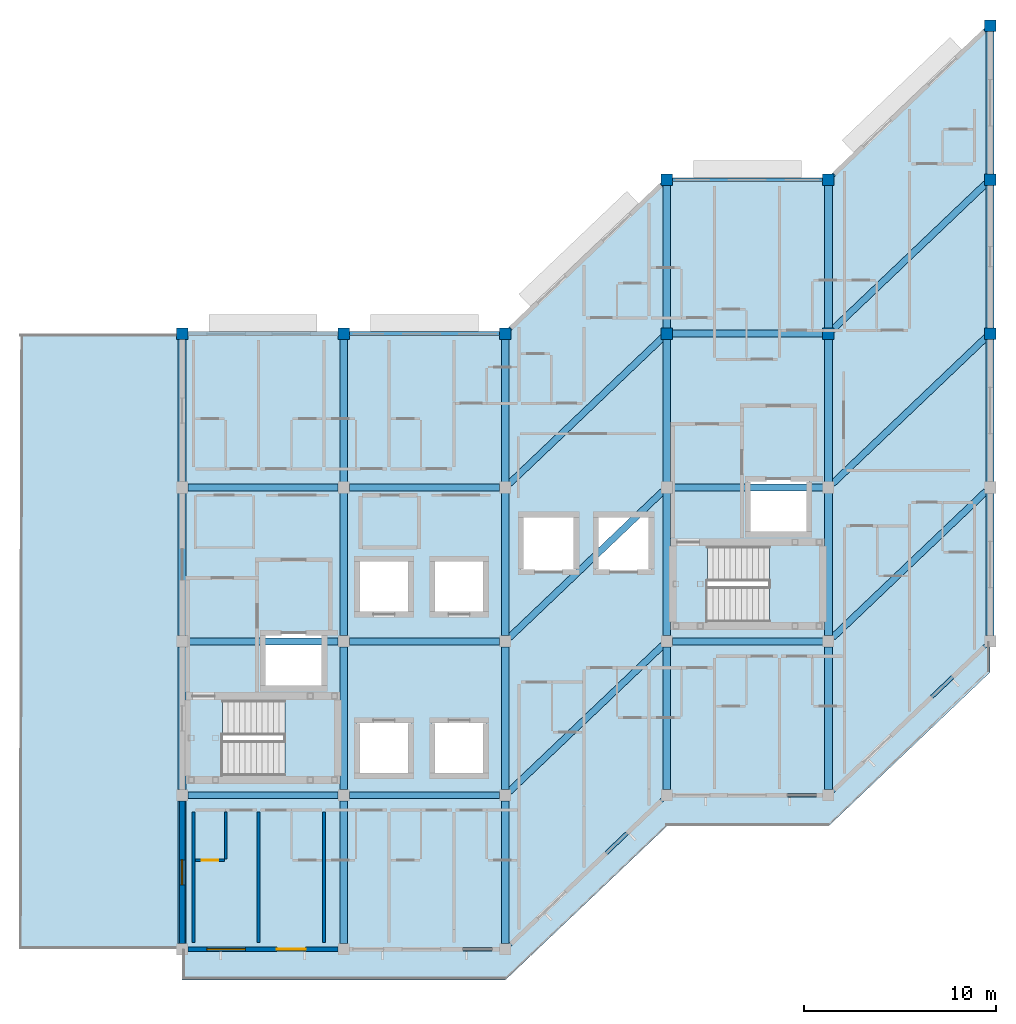
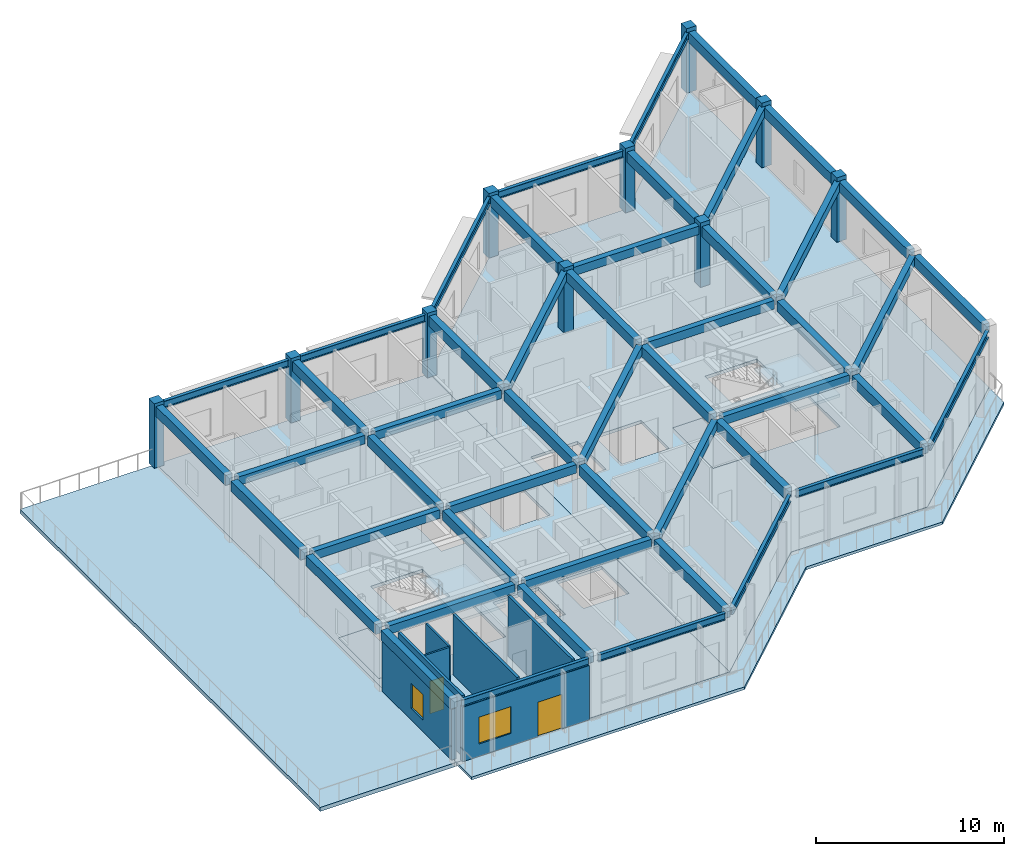
# One storey, part 3 of 13: 49 beams, 10 columns, 8 slabs, 7 walls, 2 doors, 2 windows, 4 openings, 2 elements without a shape of their own.
"""IFC4 building model written with IfcOpenShell, lengths in metres."""

from ifc_helpers import new_model, si_unit, direction, frame, frame_2d, origin, origin_2d, place, context, subcontext, project, spatial, polyline, rectangle, i_section, outline, extrude, material, layer, layer_set, material_profile, profile_set, type_object, element, fill, aggregate, save


model = new_model("IFC4")

# Units and contexts
model_context = context("Model", 3, precision=1e-05, world=origin(), true_north=direction((0.0, 1.0)))
body_context = subcontext(model_context, "Body", "Model", "MODEL_VIEW")
ifc_project = project(units=[si_unit("LENGTHUNIT", "METRE"), si_unit("AREAUNIT", "SQUARE_METRE"), si_unit("VOLUMEUNIT", "CUBIC_METRE"), si_unit("PLANEANGLEUNIT", "RADIAN"), si_unit("MASSUNIT", "GRAM", prefix="KILO")], contexts=[model_context])

# Site, building, storey
site_placement = place(None, origin())
site = spatial("IfcSite", under=ifc_project, at=site_placement, CompositionType="ELEMENT")
building_placement = place(site_placement, origin())
building = spatial("IfcBuilding", under=site, at=building_placement, Name="Naruveol Harbour Congress Hotel", CompositionType="ELEMENT")
storey_placement = place(building_placement, frame((0.0, 0.0, 43.199951171875)))
storey = spatial("IfcBuildingStorey", under=building, at=storey_placement, Name="L10", CompositionType="ELEMENT", Elevation=43.199951171875)

# Columns
ifc_material_1 = material(Name="Concrete C40/50", Category="concrete")
ifc_material_profile_1 = material_profile(ifc_material_1, rectangle(XDim=0.60009765625, YDim=0.60009765625, at=origin_2d()), Name="RC-600x600")
ifc_profile_set_1 = profile_set([ifc_material_profile_1], Name="Concrete C40/50")
column_type = type_object("IfcColumnType", Name="RC UPPER COLUMN 600X600", PredefinedType="COLUMN", material=ifc_profile_set_1)
for number, where, z_axis, x_axis, name in (
    (1, (126.0, 32.0, 0.0), (0.0, 0.0, 1.0), (1.0, 0.0, 0.0), "Column C-600 L10 (126.0,32.0)"),
    (2, (134.39990234375, 32.0, 0.0), (0.0, 0.0, 1.0), (1.0, 0.0, 0.0), "Column C-600 L10 (134.4,32.0)"),
    (3, (142.800048828125, 32.0, 0.0), (0.0, 0.0, 1.0), (1.0, 0.0, 0.0), "Column C-600 L10 (142.8,32.0)"),
    (4, (151.199951171875, 40.0, 0.0), (0.0, 0.0, 1.0), (1.0, 0.0, 0.0), "Column C-600 L10 (151.2,40.0)"),
    (5, (159.60009765625, 40.0, 0.0), (0.0, 0.0, 1.0), (1.0, 0.0, 0.0), "Column C-600 L10 (159.6,40.0)"),
    (6, (168.0, 32.0, 0.0), (0.0, 0.0, 1.0), (1.0, 0.0, 0.0), "Column C-600 L10 (168.0,32.0)"),
    (7, (168.0, 48.0, 0.0), (0.0, 0.0, 1.0), (1.0, 0.0, 0.0), "Column C-600 L10 (168.0,48.0)"),
    (8, (151.199951171875, 32.0, 0.0), (0.0, 0.0, 1.0), (1.0, 0.0, 0.0), "Planted hotel column C-600 L10 S4/J3"),
    (9, (159.60009765625, 32.0, 0.0), (0.0, 0.0, 1.0), (1.0, 0.0, 0.0), "Planted hotel column C-600 L10 S5/J3"),
    (10, (168.0, 40.0, 0.0), (0.0, 0.0, 1.0), (1.0, 0.0, 0.0), "Planted hotel column C-600 L10 S6/J3"),
):
    element("IfcColumn", number, at=place(storey_placement, frame(where, z_axis=z_axis, x_axis=x_axis)), inside=storey, type_object=column_type, Name=name, PredefinedType="COLUMN", context=body_context, shape_type="SweptSolid", body=[
        extrude(rectangle(XDim=0.60009765625, YDim=0.60009765625, at=origin_2d()), origin(), (0.0, 0.0, 1.0), 4.199951171875),
    ])

# Beams
ifc_material_2 = material(Name="Concrete C40/50", Category="concrete")
ifc_material_profile_2 = material_profile(ifc_material_2, rectangle(XDim=0.39990234375, YDim=0.64990234375, at=origin_2d()), Name="RCB-400x650")
ifc_profile_set_2 = profile_set([ifc_material_profile_2], Name="Concrete C40/50")
beam_type_1 = type_object("IfcBeamType", Name="RC HOTEL BEAM 400X650", PredefinedType="BEAM", material=ifc_profile_set_2)
for number, where, z_axis, x_axis, name in (
    (11, (126.0, 0.2958984375, 3.6650390625), (0.0, 1.0, 0.0), (-1.0, 0.0, 0.0), "Hotel transverse beam L11 CB4"),
    (12, (126.0, 8.2958984375, 3.6650390625), (0.0, 1.0, 0.0), (-1.0, 0.0, 0.0), "Hotel transverse beam L11 CB4"),
    (13, (126.0, 16.2958984375, 3.6650390625), (0.0, 1.0, 0.0), (-1.0, 0.0, 0.0), "Hotel transverse beam L11 CB4"),
    (14, (126.0, 24.2958984375, 3.6650390625), (0.0, 1.0, 0.0), (-1.0, 0.0, 0.0), "Hotel transverse beam L11 CB4"),
    (15, (134.39990234375, 0.2958984375, 3.6650390625), (0.0, 1.0, 0.0), (-1.0, 0.0, 0.0), "Hotel transverse beam L11 CB4"),
    (16, (134.39990234375, 8.2958984375, 3.6650390625), (0.0, 1.0, 0.0), (-1.0, 0.0, 0.0), "Hotel transverse beam L11 CB4"),
    (17, (134.39990234375, 16.2958984375, 3.6650390625), (0.0, 1.0, 0.0), (-1.0, 0.0, 0.0), "Hotel transverse beam L11 CB4"),
    (18, (134.39990234375, 24.2958984375, 3.6650390625), (0.0, 1.0, 0.0), (-1.0, 0.0, 0.0), "Hotel transverse beam L11 CB4"),
    (19, (142.800048828125, 0.2958984375, 3.6650390625), (0.0, 1.0, 0.0), (-1.0, 0.0, 0.0), "Hotel transverse beam L11 CB4"),
    (20, (142.800048828125, 8.2958984375, 3.6650390625), (0.0, 1.0, 0.0), (-1.0, 0.0, 0.0), "Hotel transverse beam L11 CB4"),
    (21, (142.800048828125, 16.2958984375, 3.6650390625), (0.0, 1.0, 0.0), (-1.0, 0.0, 0.0), "Hotel transverse beam L11 CB4"),
    (22, (142.800048828125, 24.2958984375, 3.6650390625), (0.0, 1.0, 0.0), (-1.0, 0.0, 0.0), "Hotel transverse beam L11 CB4"),
    (23, (151.199951171875, 8.2958984375, 3.6650390625), (0.0, 1.0, 0.0), (-1.0, 0.0, 0.0), "Hotel transverse beam L11 CB4"),
    (24, (151.199951171875, 16.2958984375, 3.6650390625), (0.0, 1.0, 0.0), (-1.0, 0.0, 0.0), "Hotel transverse beam L11 CB4"),
    (25, (151.199951171875, 24.2958984375, 3.6650390625), (0.0, 1.0, 0.0), (-1.0, 0.0, 0.0), "Hotel transverse beam L11 CB4"),
    (26, (151.199951171875, 32.2958984375, 3.6650390625), (0.0, 1.0, 0.0), (-1.0, 0.0, 0.0), "Hotel transverse beam L11 CB4"),
    (27, (159.60009765625, 8.2958984375, 3.614990234375), (0.0, 1.0, 0.0), (-1.0, 0.0, 0.0), "Hotel transverse beam L11 CB4"),
    (28, (159.60009765625, 16.2958984375, 3.614990234375), (0.0, 1.0, 0.0), (-1.0, 0.0, 0.0), "Hotel transverse beam L11 CB4"),
    (29, (159.60009765625, 24.2958984375, 3.614990234375), (0.0, 1.0, 0.0), (-1.0, 0.0, 0.0), "Hotel transverse beam L11 CB4"),
    (30, (159.60009765625, 32.2958984375, 3.614990234375), (0.0, 1.0, 0.0), (-1.0, 0.0, 0.0), "Hotel transverse beam L11 CB4"),
    (31, (168.0, 16.2958984375, 3.614990234375), (0.0, 1.0, 0.0), (-1.0, 0.0, 0.0), "Hotel transverse beam L11 CB4"),
    (32, (168.0, 24.2958984375, 3.614990234375), (0.0, 1.0, 0.0), (-1.0, 0.0, 0.0), "Hotel transverse beam L11 CB4"),
    (33, (168.0, 32.2958984375, 3.614990234375), (0.0, 1.0, 0.0), (-1.0, 0.0, 0.0), "Hotel transverse beam L11 CB4"),
    (34, (168.0, 40.2958984375, 3.614990234375), (0.0, 1.0, 0.0), (-1.0, 0.0, 0.0), "Hotel transverse beam L11 CB4"),
):
    element("IfcBeam", number, at=place(storey_placement, frame(where, z_axis=z_axis, x_axis=x_axis)), inside=storey, type_object=beam_type_1, Name=name, PredefinedType="BEAM", context=body_context, shape_type="SweptSolid", body=[
        extrude(rectangle(XDim=0.39990234375, YDim=0.64990234375, at=origin_2d()), origin(), (0.0, 0.0, 1.0), 7.408203125),
    ])
ifc_material_3 = material(Name="Concrete C40/50", Category="concrete")
ifc_material_profile_3 = material_profile(ifc_material_3, rectangle(XDim=0.35009765625, YDim=0.550048828125, at=origin_2d()), Name="RCB-350x550")
ifc_profile_set_3 = profile_set([ifc_material_profile_3], Name="Concrete C40/50")
beam_type_2 = type_object("IfcBeamType", Name="RC SECONDARY BEAM 350X550", PredefinedType="JOIST", material=ifc_profile_set_3)
for number, where, z_axis, x_axis, name in (
    (35, (126.2958984375, 8.0, 3.715087890625), (1.0, 0.0, 0.0), (0.0, 1.0, 0.0), "Hotel chord beam L11 CJ1"),
    (36, (126.2958984375, 16.0, 3.715087890625), (1.0, 0.0, 0.0), (0.0, 1.0, 0.0), "Hotel chord beam L11 CJ1"),
    (37, (126.2958984375, 24.0, 3.715087890625), (1.0, 0.0, 0.0), (0.0, 1.0, 0.0), "Hotel chord beam L11 CJ1"),
):
    element("IfcBeam", number, at=place(storey_placement, frame(where, z_axis=z_axis, x_axis=x_axis)), inside=storey, type_object=beam_type_2, Name=name, PredefinedType="JOIST", context=body_context, shape_type="SweptSolid", body=[
        extrude(rectangle(XDim=0.35009765625, YDim=0.550048828125, at=origin_2d()), origin(), (0.0, 0.0, 1.0), 7.80810546875),
    ])
for number, where, z_axis, x_axis, name in (
    (38, (134.696044921875, 8.0, 3.715087890625), (1.0, 0.0, 0.0), (0.0, 1.0, 0.0), "Hotel chord beam L11 CJ1"),
    (39, (134.696044921875, 16.0, 3.715087890625), (1.0, 0.0, 0.0), (0.0, 1.0, 0.0), "Hotel chord beam L11 CJ1"),
    (40, (134.696044921875, 24.0, 3.715087890625), (1.0, 0.0, 0.0), (0.0, 1.0, 0.0), "Hotel chord beam L11 CJ1"),
):
    element("IfcBeam", number, at=place(storey_placement, frame(where, z_axis=z_axis, x_axis=x_axis)), inside=storey, type_object=beam_type_2, Name=name, PredefinedType="JOIST", context=body_context, shape_type="SweptSolid", body=[
        extrude(rectangle(XDim=0.35009765625, YDim=0.550048828125, at=origin_2d()), origin(), (0.0, 0.0, 1.0), 7.807861328125),
    ])
for number, where, z_axis, x_axis, name in (
    (41, (143.014404296875, 8.2041015625, 3.715087890625), (0.724129492057, 0.689664033231, 0.0), (-0.689664033231, 0.724129492057, 0.0), "Hotel chord beam L11 CJ1"),
    (42, (143.014404296875, 16.2041015625, 3.715087890625), (0.724129492057, 0.689664033231, 0.0), (-0.689664033231, 0.724129492057, 0.0), "Hotel chord beam L11 CJ1"),
    (43, (143.014404296875, 24.2041015625, 3.715087890625), (0.724129492057, 0.689664033231, 0.0), (-0.689664033231, 0.724129492057, 0.0), "Hotel chord beam L11 CJ1"),
):
    element("IfcBeam", number, at=place(storey_placement, frame(where, z_axis=z_axis, x_axis=x_axis)), inside=storey, type_object=beam_type_2, Name=name, PredefinedType="JOIST", context=body_context, shape_type="SweptSolid", body=[
        extrude(rectangle(XDim=0.35009765625, YDim=0.550048828125, at=origin_2d()), origin(), (0.0, 0.0, 1.0), 11.008056640625),
    ])
for number, where, z_axis, x_axis, name in (
    (44, (151.49609375, 16.0, 3.6650390625), (1.0, 0.0, 0.0), (0.0, 1.0, 0.0), "Hotel chord beam L11 CJ1"),
    (45, (151.49609375, 24.0, 3.6650390625), (1.0, 0.0, 0.0), (0.0, 1.0, 0.0), "Hotel chord beam L11 CJ1"),
    (46, (151.49609375, 32.0, 3.6650390625), (1.0, 0.0, 0.0), (0.0, 1.0, 0.0), "Hotel chord beam L11 CJ1"),
):
    element("IfcBeam", number, at=place(storey_placement, frame(where, z_axis=z_axis, x_axis=x_axis)), inside=storey, type_object=beam_type_2, Name=name, PredefinedType="JOIST", context=body_context, shape_type="SweptSolid", body=[
        extrude(rectangle(XDim=0.35009765625, YDim=0.550048828125, at=origin_2d()), origin(), (0.0, 0.0, 1.0), 7.807861328125),
    ])
for number, where, z_axis, x_axis, name in (
    (47, (159.814208984375, 16.2041015625, 3.6650390625), (0.724140040728, 0.689652957229, 0.0), (-0.689652957229, 0.724140040728, 0.0), "Hotel chord beam L11 CJ1"),
    (48, (159.814208984375, 24.2041015625, 3.6650390625), (0.724140040728, 0.689652957229, 0.0), (-0.689652957229, 0.724140040728, 0.0), "Hotel chord beam L11 CJ1"),
    (49, (159.814208984375, 32.2041015625, 3.6650390625), (0.724140040728, 0.689652957229, 0.0), (-0.689652957229, 0.724140040728, 0.0), "Hotel chord beam L11 CJ1"),
):
    element("IfcBeam", number, at=place(storey_placement, frame(where, z_axis=z_axis, x_axis=x_axis)), inside=storey, type_object=beam_type_2, Name=name, PredefinedType="JOIST", context=body_context, shape_type="SweptSolid", body=[
        extrude(rectangle(XDim=0.35009765625, YDim=0.550048828125, at=origin_2d()), origin(), (0.0, 0.0, 1.0), 11.008056640625),
    ])
ifc_material_4 = material(Name="Steel SN490", Category="steel")
ifc_material_profile_4 = material_profile(ifc_material_4, i_section(OverallWidth=0.199951171875, OverallDepth=0.449951171875, WebThickness=0.009033203125, FlangeThickness=0.013916015625, at=origin_2d()), Name="H-450x200x9x14")
ifc_profile_set_4 = profile_set([ifc_material_profile_4], Name="Steel SN490")
beam_type_3 = type_object("IfcBeamType", Name="STEEL SPANDREL EDGE BEAM H450", PredefinedType="SPANDREL", material=ifc_profile_set_4)
for number, where, z_axis, x_axis, name in (
    (50, (126.2958984375, 0.0, 3.76513671875), (1.0, 0.0, 0.0), (0.0, 1.0, 0.0), "Hotel chord beam L11 SPB2"),
    (51, (126.2958984375, 32.0, 3.76513671875), (1.0, 0.0, 0.0), (0.0, 1.0, 0.0), "Hotel chord beam L11 SPB2"),
):
    element("IfcBeam", number, at=place(storey_placement, frame(where, z_axis=z_axis, x_axis=x_axis)), inside=storey, type_object=beam_type_3, Name=name, PredefinedType="SPANDREL", context=body_context, shape_type="SweptSolid", body=[
        extrude(i_section(OverallWidth=0.199951171875, OverallDepth=0.449951171875, WebThickness=0.009033203125, FlangeThickness=0.013916015625, at=origin_2d()), origin(), (0.0, 0.0, 1.0), 7.80810546875),
    ])
for number, where, z_axis, x_axis, name in (
    (52, (134.696044921875, 0.0, 3.76513671875), (1.0, 0.0, 0.0), (0.0, 1.0, 0.0), "Hotel chord beam L11 SPB2"),
    (53, (134.696044921875, 32.0, 3.76513671875), (1.0, 0.0, 0.0), (0.0, 1.0, 0.0), "Hotel chord beam L11 SPB2"),
):
    element("IfcBeam", number, at=place(storey_placement, frame(where, z_axis=z_axis, x_axis=x_axis)), inside=storey, type_object=beam_type_3, Name=name, PredefinedType="SPANDREL", context=body_context, shape_type="SweptSolid", body=[
        extrude(i_section(OverallWidth=0.199951171875, OverallDepth=0.449951171875, WebThickness=0.009033203125, FlangeThickness=0.013916015625, at=origin_2d()), origin(), (0.0, 0.0, 1.0), 7.807861328125),
    ])
for number, where, z_axis, x_axis, name in (
    (54, (143.014404296875, 0.2041015625, 3.76513671875), (0.724129492057, 0.689664033231, 0.0), (-0.689664033231, 0.724129492057, 0.0), "Hotel chord beam L11 SPB2"),
    (55, (143.014404296875, 32.2041015625, 3.76513671875), (0.724129492057, 0.689664033231, 0.0), (-0.689664033231, 0.724129492057, 0.0), "Hotel chord beam L11 SPB2"),
):
    element("IfcBeam", number, at=place(storey_placement, frame(where, z_axis=z_axis, x_axis=x_axis)), inside=storey, type_object=beam_type_3, Name=name, PredefinedType="SPANDREL", context=body_context, shape_type="SweptSolid", body=[
        extrude(i_section(OverallWidth=0.199951171875, OverallDepth=0.449951171875, WebThickness=0.009033203125, FlangeThickness=0.013916015625, at=origin_2d()), origin(), (0.0, 0.0, 1.0), 11.008056640625),
    ])
for number, where, z_axis, x_axis, name in (
    (56, (151.49609375, 8.0, 3.715087890625), (1.0, 0.0, 0.0), (0.0, 1.0, 0.0), "Hotel chord beam L11 SPB2"),
    (57, (151.49609375, 40.0, 3.715087890625), (1.0, 0.0, 0.0), (0.0, 1.0, 0.0), "Hotel chord beam L11 SPB2"),
):
    element("IfcBeam", number, at=place(storey_placement, frame(where, z_axis=z_axis, x_axis=x_axis)), inside=storey, type_object=beam_type_3, Name=name, PredefinedType="SPANDREL", context=body_context, shape_type="SweptSolid", body=[
        extrude(i_section(OverallWidth=0.199951171875, OverallDepth=0.449951171875, WebThickness=0.009033203125, FlangeThickness=0.013916015625, at=origin_2d()), origin(), (0.0, 0.0, 1.0), 7.807861328125),
    ])
for number, where, z_axis, x_axis, name in (
    (58, (159.814208984375, 8.2041015625, 3.715087890625), (0.724140040728, 0.689652957229, 0.0), (-0.689652957229, 0.724140040728, 0.0), "Hotel chord beam L11 SPB2"),
    (59, (159.814208984375, 40.2041015625, 3.715087890625), (0.724140040728, 0.689652957229, 0.0), (-0.689652957229, 0.724140040728, 0.0), "Hotel chord beam L11 SPB2"),
):
    element("IfcBeam", number, at=place(storey_placement, frame(where, z_axis=z_axis, x_axis=x_axis)), inside=storey, type_object=beam_type_3, Name=name, PredefinedType="SPANDREL", context=body_context, shape_type="SweptSolid", body=[
        extrude(i_section(OverallWidth=0.199951171875, OverallDepth=0.449951171875, WebThickness=0.009033203125, FlangeThickness=0.013916015625, at=origin_2d()), origin(), (0.0, 0.0, 1.0), 11.008056640625),
    ])

# Slabs
ifc_material_5 = material(Name="Concrete C40/50", Category="concrete")
ifc_layer_1 = layer(ifc_material_5, 0.2099609375)
ifc_layer_set_1 = layer_set([ifc_layer_1], Name="Concrete C40/50")
slab_type_1 = type_object("IfcSlabType", Name="RC HOTEL UPPER FLOOR SLAB 210", PredefinedType="FLOOR", material=ifc_layer_set_1)
slab_1_placement = place(storey_placement, frame((0.0, 0.0, -0.2099609375)))
element("IfcSlab", 60, at=slab_1_placement, inside=storey, type_object=slab_type_1, Name="Level L10 Hotel W S-curve floor slab", PredefinedType="FLOOR", context=body_context, shape_type="SweptSolid", body=[
    extrude(outline(polyline([(126.0, 0.0), (134.39990234375, 0.0), (142.800048828125, 0.0), (142.800048828125, 32.0), (134.39990234375, 32.0), (126.0, 32.0), (126.0, 0.0)]), holes=[polyline([(126.300048828125, 8.800048828125), (134.10009765625, 8.800048828125), (134.10009765625, 13.159912109375), (126.300048828125, 13.159912109375), (126.300048828125, 8.800048828125)]), polyline([(135.10009765625, 17.39990234375), (137.89990234375, 17.39990234375), (137.89990234375, 20.300048828125), (135.10009765625, 20.300048828125), (135.10009765625, 17.39990234375)]), polyline([(139.0, 17.39990234375), (141.800048828125, 17.39990234375), (141.800048828125, 20.300048828125), (139.0, 20.300048828125), (139.0, 17.39990234375)]), polyline([(135.10009765625, 9.0), (137.89990234375, 9.0), (137.89990234375, 11.89990234375), (135.10009765625, 11.89990234375), (135.10009765625, 9.0)]), polyline([(139.0, 9.0), (141.800048828125, 9.0), (141.800048828125, 11.89990234375), (139.0, 11.89990234375), (139.0, 9.0)]), polyline([(130.199951171875, 13.550048828125), (133.39990234375, 13.550048828125), (133.39990234375, 16.449951171875), (130.199951171875, 16.449951171875), (130.199951171875, 13.550048828125)])]), origin(), (0.0, 0.0, 1.0), 0.2099609375),
])
slab_2_placement = place(storey_placement, frame((0.0, 0.0, -0.2099609375)))
element("IfcSlab", 61, at=slab_2_placement, inside=storey, type_object=slab_type_1, Name="Level L10 Hotel E S-curve floor slab", PredefinedType="FLOOR", context=body_context, shape_type="SweptSolid", body=[
    extrude(outline(polyline([(142.800048828125, 0.0), (151.199951171875, 8.0), (159.60009765625, 8.0), (168.0, 16.0), (168.0, 48.0), (159.60009765625, 40.0), (151.199951171875, 40.0), (142.800048828125, 32.0), (142.800048828125, 0.0)]), holes=[polyline([(151.5, 16.800048828125), (159.300048828125, 16.800048828125), (159.300048828125, 21.159912109375), (151.5, 21.159912109375), (151.5, 16.800048828125)]), polyline([(155.39990234375, 21.550048828125), (158.60009765625, 21.550048828125), (158.60009765625, 24.449951171875), (155.39990234375, 24.449951171875), (155.39990234375, 21.550048828125)]), polyline([(143.60009765625, 19.60009765625), (146.5, 19.60009765625), (146.5, 22.60009765625), (143.60009765625, 22.60009765625), (143.60009765625, 19.60009765625)]), polyline([(147.5, 19.60009765625), (150.39990234375, 19.60009765625), (150.39990234375, 22.60009765625), (147.5, 22.60009765625), (147.5, 19.60009765625)])]), origin(), (0.0, 0.0, 1.0), 0.2099609375),
])
ifc_material_6 = material(Name="Concrete C40/50", Category="concrete")
ifc_layer_2 = layer(ifc_material_6, 0.260009765625)
ifc_layer_set_2 = layer_set([ifc_layer_2], Name="Concrete C40/50")
slab_type_2 = type_object("IfcSlabType", Name="RC PLANTED ROOF GARDEN SLAB 260", PredefinedType="ROOF", material=ifc_layer_set_2)
slab_3_placement = place(storey_placement, frame((0.0, 0.0, -0.260009765625)))
element("IfcSlab", 62, at=slab_3_placement, inside=storey, type_object=slab_type_2, Name="Level L10 West Harbour Sky Terrace", PredefinedType="ROOF", context=body_context, shape_type="SweptSolid", body=[
    extrude(outline(polyline([(117.60009765625, 0.0), (126.0, 0.0), (126.0, 32.0), (117.60009765625, 32.0), (117.60009765625, 0.0)])), origin(), (0.0, 0.0, 1.0), 0.260009765625),
])
ifc_material_7 = material(Name="Concrete C40/50", Category="concrete")
ifc_layer_3 = layer(ifc_material_7, 0.179931640625)
ifc_layer_set_3 = layer_set([ifc_layer_3], Name="Concrete C40/50")
slab_type_3 = type_object("IfcSlabType", Name="RC STAIR HALF LANDING SLAB 180", PredefinedType="LANDING", material=ifc_layer_set_3)
slab_4_placement = place(storey_placement, frame((0.0, 0.0, -0.179931640625)))
element("IfcSlab", 63, at=slab_4_placement, inside=storey, type_object=slab_type_3, Name="Stair ST1 L10 floor landing", PredefinedType="LANDING", context=body_context, shape_type="SweptSolid", body=[
    extrude(outline(polyline([(126.300048828125, 8.800048828125), (128.10009765625, 8.800048828125), (128.10009765625, 13.159912109375), (126.300048828125, 13.159912109375), (126.300048828125, 8.800048828125)])), origin(), (0.0, 0.0, 1.0), 0.179931640625),
])

# Stair, slab
ifc_material_8 = material(Name="Concrete C40/50", Category="concrete")
stair_type = type_object("IfcStairType", Name="RC DOG LEG ESCAPE STAIR 1800W H4200", PredefinedType="HALF_TURN_STAIR", material=ifc_material_8)
stair_1_placement = place(storey_placement, origin())
stair_1 = element("IfcStair", 64, at=stair_1_placement, inside=storey, type_object=stair_type, Name="Special Escape Stair ST1 L10 to L11", PredefinedType="HALF_TURN_STAIR")
slab_5_placement = place(storey_placement, frame((0.0, 0.0, 1.920166015625)))
slab_5 = element("IfcSlab", 65, at=slab_5_placement, type_object=slab_type_3, Name="ST1 L10 half landing", PredefinedType="LANDING", context=body_context, shape_type="SweptSolid", body=[
    extrude(outline(polyline([(131.344970703125, 8.800048828125), (134.10009765625, 8.800048828125), (134.10009765625, 13.159912109375), (131.344970703125, 13.159912109375), (131.344970703125, 8.800048828125)])), origin(), (0.0, 0.0, 1.0), 0.179931640625),
])
aggregate(stair_1, [slab_5])

# Slab
slab_6_placement = place(storey_placement, frame((0.0, 0.0, -0.179931640625)))
element("IfcSlab", 66, at=slab_6_placement, inside=storey, type_object=slab_type_3, Name="Stair ST2 L10 floor landing", PredefinedType="LANDING", context=body_context, shape_type="SweptSolid", body=[
    extrude(outline(polyline([(151.5, 16.800048828125), (153.300048828125, 16.800048828125), (153.300048828125, 21.159912109375), (151.5, 21.159912109375), (151.5, 16.800048828125)])), origin(), (0.0, 0.0, 1.0), 0.179931640625),
])

# Stair, slab
stair_2_placement = place(storey_placement, origin())
stair_2 = element("IfcStair", 67, at=stair_2_placement, inside=storey, type_object=stair_type, Name="Special Escape Stair ST2 L10 to L11", PredefinedType="HALF_TURN_STAIR")
slab_7_placement = place(storey_placement, frame((0.0, 0.0, 1.920166015625)))
slab_7 = element("IfcSlab", 68, at=slab_7_placement, type_object=slab_type_3, Name="ST2 L10 half landing", PredefinedType="LANDING", context=body_context, shape_type="SweptSolid", body=[
    extrude(outline(polyline([(156.544921875, 16.800048828125), (159.300048828125, 16.800048828125), (159.300048828125, 21.159912109375), (156.544921875, 21.159912109375), (156.544921875, 16.800048828125)])), origin(), (0.0, 0.0, 1.0), 0.179931640625),
])
aggregate(stair_2, [slab_7])

# Slab
ifc_material_9 = material(Name="Concrete C40/50", Category="concrete")
ifc_layer_4 = layer(ifc_material_9, 0.179931640625)
ifc_layer_set_4 = layer_set([ifc_layer_4], Name="Concrete C40/50")
slab_type_4 = type_object("IfcSlabType", Name="RC TERRACE AND LANDING SLAB 180", PredefinedType="FLOOR", material=ifc_layer_set_4)
slab_8_placement = place(storey_placement, frame((0.0, 0.0, -0.179931640625)))
element("IfcSlab", 69, at=slab_8_placement, inside=storey, type_object=slab_type_4, Name="Level L10 Harbourfront brise-soleil balcony", PredefinedType="FLOOR", context=body_context, shape_type="SweptSolid", body=[
    extrude(outline(polyline([(126.0, -1.60009765625), (134.39990234375, -1.60009765625), (142.800048828125, -1.60009765625), (151.199951171875, 6.39990234375), (159.60009765625, 6.39990234375), (168.0, 14.39990234375), (168.0, 15.9951171875), (159.60009765625, 7.9951171875), (151.199951171875, 7.9951171875), (142.800048828125, -0.0048828125), (134.39990234375, -0.0048828125), (126.0, -0.0048828125), (126.0, -1.60009765625)])), origin(), (0.0, 0.0, 1.0), 0.179931640625),
])

# Wall, opening, window
ifc_material_10 = material(Name="Precast concrete C40/50", Category="concrete")
ifc_layer_5 = layer(ifc_material_10, 0.280029296875)
ifc_layer_set_5 = layer_set([ifc_layer_5], Name="Precast concrete C40/50")
wall_type_1 = type_object("IfcWallType", Name="ARCHITECTURAL PRECAST FACADE WALL 280", PredefinedType="SOLIDWALL", material=ifc_layer_set_5)
wall_1_placement = place(storey_placement, frame((126.0, 0.300048828125, 0.0), z_axis=(0.0, 0.0, 1.0), x_axis=(0.0, 1.0, 0.0)))
wall_1 = element("IfcWall", 70, at=wall_1_placement, inside=storey, type_object=wall_type_1, Name="Hotel west gable wall L10 EW-280", PredefinedType="SOLIDWALL", context=body_context, shape_type="SweptSolid", body=[
    extrude(rectangle(XDim=7.39990234375, YDim=0.280029296875, at=frame_2d((3.699951171875, 0.0))), origin(), (0.0, 0.0, 1.0), 3.300048828125),
])
opening_1_placement = place(wall_1_placement, frame((3.050048828125, 0.0, 0.75)))
opening_1 = element("IfcOpeningElement", 71, at=opening_1_placement, cuts=wall_1, Name="Opening W-27", PredefinedType="OPENING", context=body_context, shape_type="SweptSolid", body=[
    extrude(rectangle(XDim=1.300048828125, YDim=1.64990234375, at=frame_2d((0.64990234375, 0.824951171875))), frame((0.0, 0.14990234375, 0.0), z_axis=(0.0, -1.0, 0.0), x_axis=(1.0, 0.0, 0.0)), (0.0, 0.0, 1.0), 0.300048828125),
])
ifc_material_11 = material(Name="Low-E Triple Glazing in Thermal Aluminium", Category="aluminium")
window_type_1 = type_object("IfcWindowType", Name="READING SALON TALL WINDOW 1300X1650", PartitioningType="SINGLE_PANEL", PredefinedType="WINDOW", material=ifc_material_11)
window_1_placement = place(opening_1_placement, origin())
window_1 = element("IfcWindow", 72, at=window_1_placement, inside=storey, type_object=window_type_1, Name="Window W-27 #502", OverallHeight=1.64990234375, OverallWidth=1.300048828125, PartitioningType="SINGLE_PANEL", PredefinedType="WINDOW", context=body_context, shape_type="SweptSolid", body=[
    extrude(rectangle(XDim=1.300048828125, YDim=1.64990234375, at=frame_2d((0.64990234375, 0.824951171875))), frame((0.0, 0.030029296875, 0.0), z_axis=(0.0, -1.0, 0.0), x_axis=(1.0, 0.0, 0.0)), (0.0, 0.0, 1.0), 0.06005859375),
])
fill(opening_1, window_1)

# Wall
ifc_material_12 = material(Name="Moisture-Resistant Gypsum Partition", Category="gypsum")
ifc_layer_6 = layer(ifc_material_12, 0.114990234375)
ifc_layer_set_6 = layer_set([ifc_layer_6], Name="Moisture-Resistant Gypsum Partition")
wall_type_2 = type_object("IfcWallType", Name="BATHROOM MOISTURE PARTITION WALL 115", PredefinedType="PARTITIONING", material=ifc_layer_set_6)
wall_2_placement = place(storey_placement, frame((128.27001953125, 4.68994140625, 0.0), z_axis=(0.0, 0.0, 1.0), x_axis=(0.0, 1.0, 0.0)))
element("IfcWall", 73, at=wall_2_placement, inside=storey, type_object=wall_type_2, Name="Bathroom east wall 1181 PW-115", PredefinedType="PARTITIONING", context=body_context, shape_type="SweptSolid", body=[
    extrude(rectangle(XDim=2.449951171875, YDim=0.114990234375, at=frame_2d((1.22509765625, 0.0))), origin(), (0.0, 0.0, 1.0), 3.93505859375),
])

# Wall, opening, door
wall_3_placement = place(storey_placement, frame((126.699951171875, 4.6298828125, 0.0), z_axis=(0.0, 0.0, 1.0), x_axis=(1.0, 0.0, 0.0)))
wall_3 = element("IfcWall", 74, at=wall_3_placement, inside=storey, type_object=wall_type_2, Name="Bathroom south wall 1181 PW-115", PredefinedType="PARTITIONING", context=body_context, shape_type="SweptSolid", body=[
    extrude(rectangle(XDim=1.510009765625, YDim=0.114990234375, at=frame_2d((0.7548828125, 0.0))), origin(), (0.0, 0.0, 1.0), 3.93505859375),
])
opening_2_placement = place(wall_3_placement, frame((0.324951171875, 0.0, 0.0)))
opening_2 = element("IfcOpeningElement", 75, at=opening_2_placement, cuts=wall_3, Name="Opening BD-RM1181", PredefinedType="OPENING", context=body_context, shape_type="SweptSolid", body=[
    extrude(rectangle(XDim=0.860107421875, YDim=2.1201171875, at=frame_2d((0.43017578125, 1.06005859375))), frame((0.0, 0.0673828125, 0.0), z_axis=(0.0, -1.0, 0.0), x_axis=(1.0, 0.0, 0.0)), (0.0, 0.0, 1.0), 0.135009765625),
])
ifc_material_13 = material(Name="Timber & Steel Acoustic Leaf", Category="steel")
door_type_1 = type_object("IfcDoorType", Name="GUEST BATHROOM DOOR 860X2120", OperationType="NOTDEFINED", PredefinedType="DOOR", material=ifc_material_13)
door_1_placement = place(opening_2_placement, origin())
door_1 = element("IfcDoor", 76, at=door_1_placement, inside=storey, type_object=door_type_1, Name="Bathroom Door 1181", OperationType="SINGLE_SWING_RIGHT", OverallHeight=2.1201171875, OverallWidth=0.860107421875, PredefinedType="DOOR", context=body_context, shape_type="SweptSolid", body=[
    extrude(rectangle(XDim=0.860107421875, YDim=2.1201171875, at=frame_2d((0.43017578125, 1.06005859375))), frame((0.0, 0.02490234375, 0.0), z_axis=(0.0, -1.0, 0.0), x_axis=(1.0, 0.0, 0.0)), (0.0, 0.0, 1.0), 0.050048828125),
])
fill(opening_2, door_1)

# Walls
ifc_material_14 = material(Name="Autoclaved Aerated Concrete Block", Category="concrete")
ifc_layer_7 = layer(ifc_material_14, 0.159912109375)
ifc_layer_set_7 = layer_set([ifc_layer_7], Name="Autoclaved Aerated Concrete Block")
wall_type_3 = type_object("IfcWallType", Name="HOTEL PARTY AND CORRIDOR WALL 160 EI60", PredefinedType="PARTITIONING", material=ifc_layer_set_7)
for number, where, z_axis, x_axis, name in (
    (77, (126.60009765625, 0.340087890625, 0.0), (0.0, 0.0, 1.0), (0.0, 1.0, 0.0), "Hotel party wall 1181 PW-160"),
    (78, (129.97998046875, 0.340087890625, 0.0), (0.0, 0.0, 1.0), (0.0, 1.0, 0.0), "Hotel party wall 1182 PW-160"),
    (79, (133.3701171875, 0.340087890625, 0.0), (0.0, 0.0, 1.0), (0.0, 1.0, 0.0), "Hotel party wall 1183 PW-160"),
):
    element("IfcWall", number, at=place(storey_placement, frame(where, z_axis=z_axis, x_axis=x_axis)), inside=storey, type_object=wall_type_3, Name=name, PredefinedType="PARTITIONING", context=body_context, shape_type="SweptSolid", body=[
        extrude(rectangle(XDim=6.7998046875, YDim=0.159912109375, at=frame_2d((3.39990234375, 0.0))), origin(), (0.0, 0.0, 1.0), 3.93505859375),
    ])

# Wall, openings, window, door
ifc_material_15 = material(Name="Concrete C40/50", Category="concrete")
ifc_layer_8 = layer(ifc_material_15, 0.239990234375)
ifc_layer_set_8 = layer_set([ifc_layer_8], Name="Concrete C40/50")
wall_type_4 = type_object("IfcWallType", Name="INSULATED HOTEL SPANDREL WALL 240", PredefinedType="SOLIDWALL", material=ifc_layer_set_8)
wall_4_placement = place(storey_placement, frame((134.10009765625, 0.0, 0.0), z_axis=(0.0, 0.0, 1.0), x_axis=(-1.0, 0.0, 0.0)))
wall_4 = element("IfcWall", 80, at=wall_4_placement, inside=storey, type_object=wall_type_4, Name="Hotel south waterfront wall L10 EW-240", PredefinedType="SOLIDWALL", context=body_context, shape_type="SweptSolid", body=[
    extrude(rectangle(XDim=7.800048828125, YDim=0.239990234375, at=frame_2d((3.89990234375, 0.0))), origin(), (0.0, 0.0, 1.0), 3.5400390625),
])
opening_3_placement = place(wall_4_placement, frame((1.675048828125, 0.0, 0.0)))
opening_3 = element("IfcOpeningElement", 81, at=opening_3_placement, cuts=wall_4, Name="Opening BD-150-073", PredefinedType="OPENING", context=body_context, shape_type="SweptSolid", body=[
    extrude(rectangle(XDim=1.5, YDim=2.25, at=frame_2d((0.75, 1.125))), frame((0.0, 0.1298828125, 0.0), z_axis=(0.0, -1.0, 0.0), x_axis=(1.0, 0.0, 0.0)), (0.0, 0.0, 1.0), 0.260009765625),
])
opening_4_placement = place(wall_4_placement, frame((4.81005859375, 0.0, 0.800048828125)))
opening_4 = element("IfcOpeningElement", 82, at=opening_4_placement, cuts=wall_4, Name="Opening W-05", PredefinedType="OPENING", context=body_context, shape_type="SweptSolid", body=[
    extrude(rectangle(XDim=2.0, YDim=1.75, at=frame_2d((1.0, 0.875))), frame((0.0, 0.1298828125, 0.0), z_axis=(0.0, -1.0, 0.0), x_axis=(1.0, 0.0, 0.0)), (0.0, 0.0, 1.0), 0.260009765625),
])
ifc_material_16 = material(Name="Low-E Triple Glazing in Thermal Aluminium", Category="aluminium")
window_type_2 = type_object("IfcWindowType", Name="GARDEN SUITE WINDOW 2000X1750", PartitioningType="DOUBLE_PANEL_VERTICAL", PredefinedType="WINDOW", material=ifc_material_16)
window_2_placement = place(opening_4_placement, origin())
window_2 = element("IfcWindow", 83, at=window_2_placement, inside=storey, type_object=window_type_2, Name="Window W-05 #479", OverallHeight=1.75, OverallWidth=2.0, PartitioningType="DOUBLE_PANEL_VERTICAL", PredefinedType="WINDOW", context=body_context, shape_type="SweptSolid", body=[
    extrude(rectangle(XDim=2.0, YDim=1.75, at=frame_2d((1.0, 0.875))), frame((0.0, 0.030029296875, 0.0), z_axis=(0.0, -1.0, 0.0), x_axis=(1.0, 0.0, 0.0)), (0.0, 0.0, 1.0), 0.06005859375),
])
fill(opening_4, window_2)
ifc_material_17 = material(Name="Powder-Coated Steel & Insulated Glazing", Category="steel")
door_type_2 = type_object("IfcDoorType", Name="SUITE BALCONY SLIDING DOOR 1500X2250", OperationType="SLIDING_TO_LEFT", PredefinedType="DOOR", material=ifc_material_17)
door_2_placement = place(opening_3_placement, origin())
door_2 = element("IfcDoor", 84, at=door_2_placement, inside=storey, type_object=door_type_2, Name="Exterior door BD-150-073", OperationType="SLIDING_TO_LEFT", OverallHeight=2.25, OverallWidth=1.5, PredefinedType="DOOR", context=body_context, shape_type="SweptSolid", body=[
    extrude(rectangle(XDim=1.5, YDim=2.25, at=frame_2d((0.75, 1.125))), frame((0.0, 0.02490234375, 0.0), z_axis=(0.0, -1.0, 0.0), x_axis=(1.0, 0.0, 0.0)), (0.0, 0.0, 1.0), 0.050048828125),
])
fill(opening_3, door_2)

save(model, "model.ifc")
